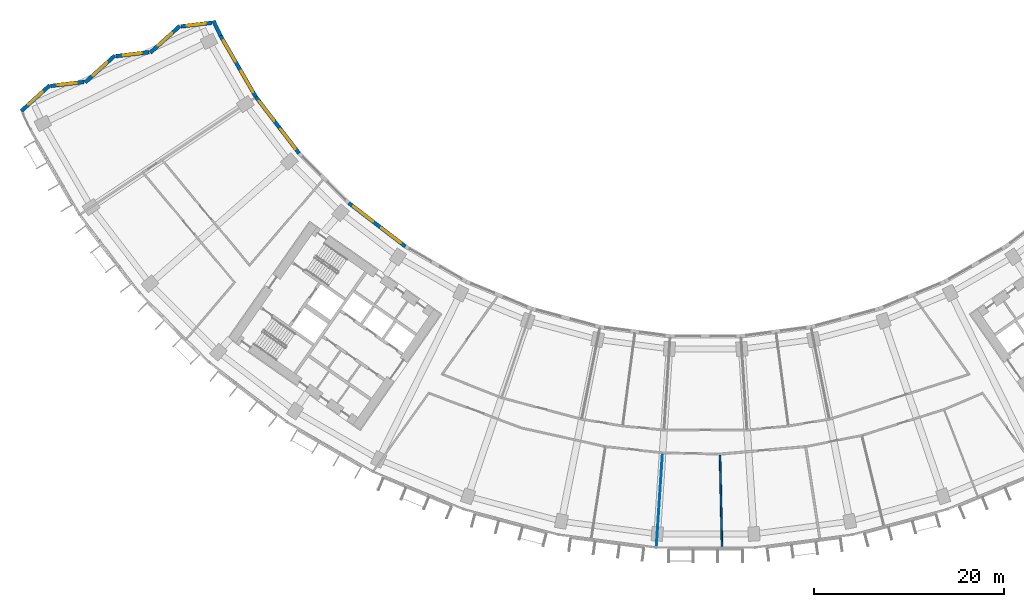
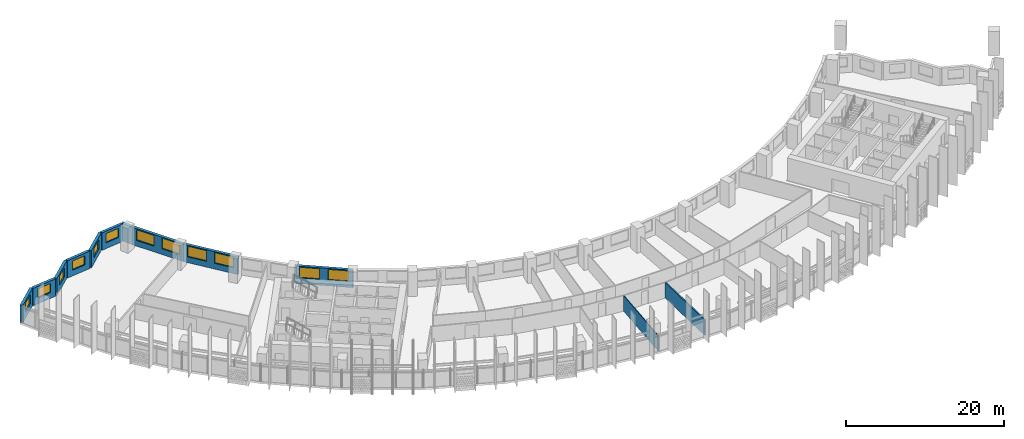
# One storey, part 5 of 30: 12 walls, 12 windows, 12 openings.
"""IFC4 building model written with IfcOpenShell, lengths in metres."""

from ifc_helpers import new_model, si_unit, direction, frame, frame_2d, origin, place, context, subcontext, project, spatial, rectangle, extrude, material, layer, layer_set, type_object, element, fill, save


model = new_model("IFC4")

# Units and contexts
model_context = context("Model", 3, precision=1e-05, world=origin(), true_north=direction((0.0, 1.0)))
body_context = subcontext(model_context, "Body", "Model", "MODEL_VIEW")
ifc_project = project(units=[si_unit("LENGTHUNIT", "METRE"), si_unit("AREAUNIT", "SQUARE_METRE"), si_unit("VOLUMEUNIT", "CUBIC_METRE"), si_unit("PLANEANGLEUNIT", "RADIAN"), si_unit("MASSUNIT", "GRAM", prefix="KILO")], contexts=[model_context])

# Site, building, storey
site_placement = place(None, origin())
site = spatial("IfcSite", under=ifc_project, at=site_placement, CompositionType="ELEMENT")
building_placement = place(site_placement, origin())
building = spatial("IfcBuilding", under=site, at=building_placement, Name="Qamariyya Broadcast Tower", CompositionType="ELEMENT")
storey_placement = place(building_placement, frame((0.0, 0.0, 110.10009765625)))
storey = spatial("IfcBuildingStorey", under=building, at=storey_placement, Name="L24", CompositionType="ELEMENT", Elevation=110.10009765625)

# Walls
ifc_material_1 = material(Name="Gypsum board partition")
ifc_layer_1 = layer(ifc_material_1, 0.10009765625)
ifc_layer_set_1 = layer_set([ifc_layer_1], Name="Partition 100")
wall_type_1 = type_object("IfcWallType", Name="Partition 100", PredefinedType="PARTITIONING", material=ifc_layer_set_1)
wall_1_placement = place(storey_placement, frame((-5.17333984375, -78.9306640625, 0.0), z_axis=(0.0, 0.0, 1.0), x_axis=(0.065402415744, 0.997858970003, 0.0)))
element("IfcWall", 1, at=wall_1_placement, inside=storey, type_object=wall_type_1, Name="Partition L24-021", PredefinedType="PARTITIONING", context=body_context, shape_type="SweptSolid", body=[
    extrude(rectangle(XDim=9.824951171875, YDim=0.10009765625, at=frame_2d((4.91259765625, 0.0))), origin(), (0.0, 0.0, 1.0), 2.39990234375),
])
ifc_layer_2 = layer(ifc_material_1, 0.179931640625)
ifc_layer_set_2 = layer_set([ifc_layer_2], Name="Studio acoustic partition 180 EI 60")
wall_type_2 = type_object("IfcWallType", Name="Studio acoustic partition 180 EI 60", PredefinedType="PARTITIONING", material=ifc_layer_set_2)
wall_2_placement = place(storey_placement, frame((1.724365234375, -78.93017578125, 0.0), z_axis=(0.0, 0.0, 1.0), x_axis=(-0.021838346282, 0.999761514878, 0.0)))
element("IfcWall", 2, at=wall_2_placement, inside=storey, type_object=wall_type_2, Name="Partition L24-026", PredefinedType="PARTITIONING", context=body_context, shape_type="SweptSolid", body=[
    extrude(rectangle(XDim=9.658935546875, YDim=0.179931640625, at=frame_2d((4.82958984375, 0.0))), origin(), (0.0, 0.0, 1.0), 2.39990234375),
])

# Wall, opening, window
ifc_material_2 = material(Name="Terracotta", Category="masonry")
ifc_layer_3 = layer(ifc_material_2, 0.39990234375)
ifc_layer_set_3 = layer_set([ifc_layer_3], Name="Terracotta clad wall 400")
wall_type_3 = type_object("IfcWallType", Name="Terracotta clad wall 400", PredefinedType="SOLIDWALL", material=ifc_layer_set_3)
wall_3_placement = place(storey_placement, frame((-51.943603515625, -23.798583984375, 0.0), z_axis=(0.0, 0.0, 1.0), x_axis=(-0.992925428947, -0.118739599753, 0.0)))
wall_3 = element("IfcWall", 3, at=wall_3_placement, inside=storey, type_object=wall_type_3, Name="e-wl-L24-capW0", PredefinedType="SOLIDWALL", context=body_context, shape_type="SweptSolid", body=[
    extrude(rectangle(XDim=3.275390625, YDim=0.39990234375, at=frame_2d((1.6376953125, 0.0))), origin(), (0.0, 0.0, 1.0), 2.699951171875),
])
opening_1_placement = place(wall_3_placement, frame((0.6376953125, 0.0, 0.89990234375)))
opening_1 = element("IfcOpeningElement", 4, at=opening_1_placement, cuts=wall_3, Name="Opening W4", PredefinedType="OPENING", context=body_context, shape_type="SweptSolid", body=[
    extrude(rectangle(XDim=2.0, YDim=1.425048828125, at=frame_2d((1.0, 0.71240234375))), frame((0.0, 0.2099609375, 0.0), z_axis=(0.0, -1.0, 0.0), x_axis=(1.0, 0.0, 0.0)), (0.0, 0.0, 1.0), 0.419921875),
])
ifc_material_3 = material(Name="Clear low-e double glazed unit in aluminium frame", Category="aluminium")
window_type_1 = type_object("IfcWindowType", Name="Horn bay window 2000 x 1425", PartitioningType="SINGLE_PANEL", PredefinedType="WINDOW", material=ifc_material_3)
window_1_placement = place(opening_1_placement, origin())
window_1 = element("IfcWindow", 5, at=window_1_placement, inside=storey, type_object=window_type_1, Name="e-w-L24-capW0", OverallHeight=1.425048828125, OverallWidth=2.0, PartitioningType="SINGLE_PANEL", PredefinedType="WINDOW", context=body_context, shape_type="SweptSolid", body=[
    extrude(rectangle(XDim=2.0, YDim=1.425048828125, at=frame_2d((1.0, 0.71240234375))), frame((0.0, 0.030029296875, 0.0), z_axis=(0.0, -1.0, 0.0), x_axis=(1.0, 0.0, 0.0)), (0.0, 0.0, 1.0), 0.06005859375),
])
fill(opening_1, window_1)

wall_4_placement = place(storey_placement, frame((-55.318115234375, -24.13525390625, 0.0), z_axis=(0.0, 0.0, 1.0), x_axis=(-0.741276494368, -0.671199790597, 0.0)))
wall_4 = element("IfcWall", 6, at=wall_4_placement, inside=storey, type_object=wall_type_3, Name="e-wl-L24-capW1", PredefinedType="SOLIDWALL", context=body_context, shape_type="SweptSolid", body=[
    extrude(rectangle(XDim=4.194580078125, YDim=0.39990234375, at=frame_2d((2.09716796875, 0.0))), origin(), (0.0, 0.0, 1.0), 2.699951171875),
])
opening_2_placement = place(wall_4_placement, frame((1.09716796875, 0.0, 0.89990234375)))
opening_2 = element("IfcOpeningElement", 7, at=opening_2_placement, cuts=wall_4, Name="Opening W4", PredefinedType="OPENING", context=body_context, shape_type="SweptSolid", body=[
    extrude(rectangle(XDim=2.0, YDim=1.425048828125, at=frame_2d((1.0, 0.71240234375))), frame((0.0, 0.2099609375, 0.0), z_axis=(0.0, -1.0, 0.0), x_axis=(1.0, 0.0, 0.0)), (0.0, 0.0, 1.0), 0.419921875),
])
window_2_placement = place(opening_2_placement, origin())
window_2 = element("IfcWindow", 8, at=window_2_placement, inside=storey, type_object=window_type_1, Name="e-w-L24-capW1", OverallHeight=1.425048828125, OverallWidth=2.0, PartitioningType="SINGLE_PANEL", PredefinedType="WINDOW", context=body_context, shape_type="SweptSolid", body=[
    extrude(rectangle(XDim=2.0, YDim=1.425048828125, at=frame_2d((1.0, 0.71240234375))), frame((0.0, 0.030029296875, 0.0), z_axis=(0.0, -1.0, 0.0), x_axis=(1.0, 0.0, 0.0)), (0.0, 0.0, 1.0), 0.06005859375),
])
fill(opening_2, window_2)

wall_5_placement = place(storey_placement, frame((-58.5498046875, -26.8984375, 0.0), z_axis=(0.0, 0.0, 1.0), x_axis=(-0.992911210979, -0.118858433069, 0.0)))
wall_5 = element("IfcWall", 9, at=wall_5_placement, inside=storey, type_object=wall_type_3, Name="e-wl-L24-capW2", PredefinedType="SOLIDWALL", context=body_context, shape_type="SweptSolid", body=[
    extrude(rectangle(XDim=3.524658203125, YDim=0.39990234375, at=frame_2d((1.76220703125, 0.0))), origin(), (0.0, 0.0, 1.0), 2.699951171875),
])
opening_3_placement = place(wall_5_placement, frame((0.762451171875, 0.0, 0.89990234375)))
opening_3 = element("IfcOpeningElement", 10, at=opening_3_placement, cuts=wall_5, Name="Opening W4", PredefinedType="OPENING", context=body_context, shape_type="SweptSolid", body=[
    extrude(rectangle(XDim=2.0, YDim=1.425048828125, at=frame_2d((1.0, 0.71240234375))), frame((0.0, 0.2099609375, 0.0), z_axis=(0.0, -1.0, 0.0), x_axis=(1.0, 0.0, 0.0)), (0.0, 0.0, 1.0), 0.419921875),
])
window_3_placement = place(opening_3_placement, origin())
window_3 = element("IfcWindow", 11, at=window_3_placement, inside=storey, type_object=window_type_1, Name="e-w-L24-capW2", OverallHeight=1.425048828125, OverallWidth=2.0, PartitioningType="SINGLE_PANEL", PredefinedType="WINDOW", context=body_context, shape_type="SweptSolid", body=[
    extrude(rectangle(XDim=2.0, YDim=1.425048828125, at=frame_2d((1.0, 0.71240234375))), frame((0.0, 0.030029296875, 0.0), z_axis=(0.0, -1.0, 0.0), x_axis=(1.0, 0.0, 0.0)), (0.0, 0.0, 1.0), 0.06005859375),
])
fill(opening_3, window_3)

wall_6_placement = place(storey_placement, frame((-62.172119140625, -27.26513671875, 0.0), z_axis=(0.0, 0.0, 1.0), x_axis=(-0.74117704358, -0.671309608207, 0.0)))
wall_6 = element("IfcWall", 12, at=wall_6_placement, inside=storey, type_object=wall_type_3, Name="e-wl-L24-capW3", PredefinedType="SOLIDWALL", context=body_context, shape_type="SweptSolid", body=[
    extrude(rectangle(XDim=4.193115234375, YDim=0.39990234375, at=frame_2d((2.0966796875, 0.0))), origin(), (0.0, 0.0, 1.0), 2.699951171875),
])
opening_4_placement = place(wall_6_placement, frame((1.0966796875, 0.0, 0.89990234375)))
opening_4 = element("IfcOpeningElement", 13, at=opening_4_placement, cuts=wall_6, Name="Opening W4", PredefinedType="OPENING", context=body_context, shape_type="SweptSolid", body=[
    extrude(rectangle(XDim=2.0, YDim=1.425048828125, at=frame_2d((1.0, 0.71240234375))), frame((0.0, 0.2099609375, 0.0), z_axis=(0.0, -1.0, 0.0), x_axis=(1.0, 0.0, 0.0)), (0.0, 0.0, 1.0), 0.419921875),
])
window_4_placement = place(opening_4_placement, origin())
window_4 = element("IfcWindow", 14, at=window_4_placement, inside=storey, type_object=window_type_1, Name="e-w-L24-capW3", OverallHeight=1.425048828125, OverallWidth=2.0, PartitioningType="SINGLE_PANEL", PredefinedType="WINDOW", context=body_context, shape_type="SweptSolid", body=[
    extrude(rectangle(XDim=2.0, YDim=1.425048828125, at=frame_2d((1.0, 0.71240234375))), frame((0.0, 0.030029296875, 0.0), z_axis=(0.0, -1.0, 0.0), x_axis=(1.0, 0.0, 0.0)), (0.0, 0.0, 1.0), 0.06005859375),
])
fill(opening_4, window_4)

wall_7_placement = place(storey_placement, frame((-65.40234375, -30.027587890625, 0.0), z_axis=(0.0, 0.0, 1.0), x_axis=(-0.992898774584, -0.118962277337, 0.0)))
wall_7 = element("IfcWall", 15, at=wall_7_placement, inside=storey, type_object=wall_type_3, Name="e-wl-L24-capW4", PredefinedType="SOLIDWALL", context=body_context, shape_type="SweptSolid", body=[
    extrude(rectangle(XDim=3.52587890625, YDim=0.39990234375, at=frame_2d((1.762939453125, 0.0))), origin(), (0.0, 0.0, 1.0), 2.699951171875),
])
opening_5_placement = place(wall_7_placement, frame((0.762939453125, 0.0, 0.89990234375)))
opening_5 = element("IfcOpeningElement", 16, at=opening_5_placement, cuts=wall_7, Name="Opening W4", PredefinedType="OPENING", context=body_context, shape_type="SweptSolid", body=[
    extrude(rectangle(XDim=2.0, YDim=1.425048828125, at=frame_2d((1.0, 0.71240234375))), frame((0.0, 0.2099609375, 0.0), z_axis=(0.0, -1.0, 0.0), x_axis=(1.0, 0.0, 0.0)), (0.0, 0.0, 1.0), 0.419921875),
])
window_5_placement = place(opening_5_placement, origin())
window_5 = element("IfcWindow", 17, at=window_5_placement, inside=storey, type_object=window_type_1, Name="e-w-L24-capW4", OverallHeight=1.425048828125, OverallWidth=2.0, PartitioningType="SINGLE_PANEL", PredefinedType="WINDOW", context=body_context, shape_type="SweptSolid", body=[
    extrude(rectangle(XDim=2.0, YDim=1.425048828125, at=frame_2d((1.0, 0.71240234375))), frame((0.0, 0.030029296875, 0.0), z_axis=(0.0, -1.0, 0.0), x_axis=(1.0, 0.0, 0.0)), (0.0, 0.0, 1.0), 0.06005859375),
])
fill(opening_5, window_5)

wall_8_placement = place(storey_placement, frame((-69.025634765625, -30.394775390625, 0.0), z_axis=(0.0, 0.0, 1.0), x_axis=(-0.741103285594, -0.671391033662, 0.0)))
wall_8 = element("IfcWall", 18, at=wall_8_placement, inside=storey, type_object=wall_type_3, Name="e-wl-L24-capW5", PredefinedType="SOLIDWALL", context=body_context, shape_type="SweptSolid", body=[
    extrude(rectangle(XDim=4.013427734375, YDim=0.39990234375, at=frame_2d((2.0068359375, 0.0))), origin(), (0.0, 0.0, 1.0), 2.699951171875),
])
opening_6_placement = place(wall_8_placement, frame((1.0068359375, 0.0, 0.89990234375)))
opening_6 = element("IfcOpeningElement", 19, at=opening_6_placement, cuts=wall_8, Name="Opening W4", PredefinedType="OPENING", context=body_context, shape_type="SweptSolid", body=[
    extrude(rectangle(XDim=2.0, YDim=1.425048828125, at=frame_2d((1.0, 0.71240234375))), frame((0.0, 0.2099609375, 0.0), z_axis=(0.0, -1.0, 0.0), x_axis=(1.0, 0.0, 0.0)), (0.0, 0.0, 1.0), 0.419921875),
])
window_6_placement = place(opening_6_placement, origin())
window_6 = element("IfcWindow", 20, at=window_6_placement, inside=storey, type_object=window_type_1, Name="e-w-L24-capW5", OverallHeight=1.425048828125, OverallWidth=2.0, PartitioningType="SINGLE_PANEL", PredefinedType="WINDOW", context=body_context, shape_type="SweptSolid", body=[
    extrude(rectangle(XDim=2.0, YDim=1.425048828125, at=frame_2d((1.0, 0.71240234375))), frame((0.0, 0.030029296875, 0.0), z_axis=(0.0, -1.0, 0.0), x_axis=(1.0, 0.0, 0.0)), (0.0, 0.0, 1.0), 0.06005859375),
])
fill(opening_6, window_6)

# Wall
wall_9_placement = place(storey_placement, frame((-51.0234375, -25.184326171875, 0.0), z_axis=(0.0, 0.0, 1.0), x_axis=(-0.42894627293, 0.903330003343, 0.0)))
element("IfcWall", 21, at=wall_9_placement, inside=storey, type_object=wall_type_3, Name="e-wl-L24-in00", PredefinedType="SOLIDWALL", context=body_context, shape_type="SweptSolid", body=[
    extrude(rectangle(XDim=1.757080078125, YDim=0.39990234375, at=frame_2d((0.87841796875, 0.0))), origin(), (0.0, 0.0, 1.0), 2.699951171875),
])

# Wall, openings, windows
wall_10_placement = place(storey_placement, frame((-47.33642578125, -31.568359375, 0.0), z_axis=(0.0, 0.0, 1.0), x_axis=(-0.499976222121, 0.866039131514, 0.0)))
wall_10 = element("IfcWall", 22, at=wall_10_placement, inside=storey, type_object=wall_type_3, Name="e-wl-L24-in10", PredefinedType="SOLIDWALL", context=body_context, shape_type="SweptSolid", body=[
    extrude(rectangle(XDim=7.356201171875, YDim=0.39990234375, at=frame_2d((3.67822265625, 0.0))), origin(), (0.0, 0.0, 1.0), 2.699951171875),
])
opening_7_placement = place(wall_10_placement, frame((4.224853515625, 0.0, 0.89990234375)))
opening_7 = element("IfcOpeningElement", 23, at=opening_7_placement, cuts=wall_10, Name="Opening W1", PredefinedType="OPENING", context=body_context, shape_type="SweptSolid", body=[
    extrude(rectangle(XDim=2.60009765625, YDim=1.64990234375, at=frame_2d((1.300048828125, 0.824951171875))), frame((0.0, 0.2099609375, 0.0), z_axis=(0.0, -1.0, 0.0), x_axis=(1.0, 0.0, 0.0)), (0.0, 0.0, 1.0), 0.419921875),
])
opening_8_placement = place(wall_10_placement, frame((0.5166015625, 0.0, 0.89990234375)))
opening_8 = element("IfcOpeningElement", 24, at=opening_8_placement, cuts=wall_10, Name="Opening W1", PredefinedType="OPENING", context=body_context, shape_type="SweptSolid", body=[
    extrude(rectangle(XDim=2.60009765625, YDim=1.64990234375, at=frame_2d((1.300048828125, 0.824951171875))), frame((0.0, 0.2099609375, 0.0), z_axis=(0.0, -1.0, 0.0), x_axis=(1.0, 0.0, 0.0)), (0.0, 0.0, 1.0), 0.419921875),
])
window_type_2 = type_object("IfcWindowType", Name="Ribbon window 2600 x 1650", PartitioningType="SINGLE_PANEL", PredefinedType="WINDOW", material=ifc_material_3)
window_7_placement = place(opening_7_placement, origin())
window_7 = element("IfcWindow", 25, at=window_7_placement, inside=storey, type_object=window_type_2, Name="e-w-L24-in01-0", OverallHeight=1.64990234375, OverallWidth=2.60009765625, PartitioningType="SINGLE_PANEL", PredefinedType="WINDOW", context=body_context, shape_type="SweptSolid", body=[
    extrude(rectangle(XDim=2.60009765625, YDim=1.64990234375, at=frame_2d((1.300048828125, 0.824951171875))), frame((0.0, 0.030029296875, 0.0), z_axis=(0.0, -1.0, 0.0), x_axis=(1.0, 0.0, 0.0)), (0.0, 0.0, 1.0), 0.06005859375),
])
fill(opening_7, window_7)
window_8_placement = place(opening_8_placement, origin())
window_8 = element("IfcWindow", 26, at=window_8_placement, inside=storey, type_object=window_type_2, Name="e-w-L24-in01-1", OverallHeight=1.64990234375, OverallWidth=2.60009765625, PartitioningType="SINGLE_PANEL", PredefinedType="WINDOW", context=body_context, shape_type="SweptSolid", body=[
    extrude(rectangle(XDim=2.60009765625, YDim=1.64990234375, at=frame_2d((1.300048828125, 0.824951171875))), frame((0.0, 0.030029296875, 0.0), z_axis=(0.0, -1.0, 0.0), x_axis=(1.0, 0.0, 0.0)), (0.0, 0.0, 1.0), 0.06005859375),
])
fill(opening_8, window_8)

wall_11_placement = place(storey_placement, frame((-42.764892578125, -37.536865234375, 0.0), z_axis=(0.0, 0.0, 1.0), x_axis=(-0.608748204711, 0.793363487476, 0.0)))
wall_11 = element("IfcWall", 27, at=wall_11_placement, inside=storey, type_object=wall_type_3, Name="e-wl-L24-in20", PredefinedType="SOLIDWALL", context=body_context, shape_type="SweptSolid", body=[
    extrude(rectangle(XDim=7.492919921875, YDim=0.39990234375, at=frame_2d((3.74658203125, 0.0))), origin(), (0.0, 0.0, 1.0), 2.699951171875),
])
opening_9_placement = place(wall_11_placement, frame((4.300537109375, 0.0, 0.89990234375)))
opening_9 = element("IfcOpeningElement", 28, at=opening_9_placement, cuts=wall_11, Name="Opening W1", PredefinedType="OPENING", context=body_context, shape_type="SweptSolid", body=[
    extrude(rectangle(XDim=2.60009765625, YDim=1.64990234375, at=frame_2d((1.300048828125, 0.824951171875))), frame((0.0, 0.2099609375, 0.0), z_axis=(0.0, -1.0, 0.0), x_axis=(1.0, 0.0, 0.0)), (0.0, 0.0, 1.0), 0.419921875),
])
opening_10_placement = place(wall_11_placement, frame((0.59228515625, 0.0, 0.89990234375)))
opening_10 = element("IfcOpeningElement", 29, at=opening_10_placement, cuts=wall_11, Name="Opening W1", PredefinedType="OPENING", context=body_context, shape_type="SweptSolid", body=[
    extrude(rectangle(XDim=2.60009765625, YDim=1.64990234375, at=frame_2d((1.300048828125, 0.824951171875))), frame((0.0, 0.2099609375, 0.0), z_axis=(0.0, -1.0, 0.0), x_axis=(1.0, 0.0, 0.0)), (0.0, 0.0, 1.0), 0.419921875),
])
window_9_placement = place(opening_9_placement, origin())
window_9 = element("IfcWindow", 30, at=window_9_placement, inside=storey, type_object=window_type_2, Name="e-w-L24-in02-0", OverallHeight=1.64990234375, OverallWidth=2.60009765625, PartitioningType="SINGLE_PANEL", PredefinedType="WINDOW", context=body_context, shape_type="SweptSolid", body=[
    extrude(rectangle(XDim=2.60009765625, YDim=1.64990234375, at=frame_2d((1.300048828125, 0.824951171875))), frame((0.0, 0.030029296875, 0.0), z_axis=(0.0, -1.0, 0.0), x_axis=(1.0, 0.0, 0.0)), (0.0, 0.0, 1.0), 0.06005859375),
])
fill(opening_9, window_9)
window_10_placement = place(opening_10_placement, origin())
window_10 = element("IfcWindow", 31, at=window_10_placement, inside=storey, type_object=window_type_2, Name="e-w-L24-in02-1", OverallHeight=1.64990234375, OverallWidth=2.60009765625, PartitioningType="SINGLE_PANEL", PredefinedType="WINDOW", context=body_context, shape_type="SweptSolid", body=[
    extrude(rectangle(XDim=2.60009765625, YDim=1.64990234375, at=frame_2d((1.300048828125, 0.824951171875))), frame((0.0, 0.030029296875, 0.0), z_axis=(0.0, -1.0, 0.0), x_axis=(1.0, 0.0, 0.0)), (0.0, 0.0, 1.0), 0.06005859375),
])
fill(opening_10, window_10)

wall_12_placement = place(storey_placement, frame((-31.59228515625, -47.326171875, 0.0), z_axis=(0.0, 0.0, 1.0), x_axis=(-0.793363487476, 0.608748204711, 0.0)))
wall_12 = element("IfcWall", 32, at=wall_12_placement, inside=storey, type_object=wall_type_3, Name="e-wl-L24-in40", PredefinedType="SOLIDWALL", context=body_context, shape_type="SweptSolid", body=[
    extrude(rectangle(XDim=7.492919921875, YDim=0.39990234375, at=frame_2d((3.74658203125, 0.0))), origin(), (0.0, 0.0, 1.0), 2.699951171875),
])
opening_11_placement = place(wall_12_placement, frame((4.300537109375, 0.0, 0.89990234375)))
opening_11 = element("IfcOpeningElement", 33, at=opening_11_placement, cuts=wall_12, Name="Opening W1", PredefinedType="OPENING", context=body_context, shape_type="SweptSolid", body=[
    extrude(rectangle(XDim=2.60009765625, YDim=1.64990234375, at=frame_2d((1.300048828125, 0.824951171875))), frame((0.0, 0.2099609375, 0.0), z_axis=(0.0, -1.0, 0.0), x_axis=(1.0, 0.0, 0.0)), (0.0, 0.0, 1.0), 0.419921875),
])
opening_12_placement = place(wall_12_placement, frame((0.59228515625, 0.0, 0.89990234375)))
opening_12 = element("IfcOpeningElement", 34, at=opening_12_placement, cuts=wall_12, Name="Opening W1", PredefinedType="OPENING", context=body_context, shape_type="SweptSolid", body=[
    extrude(rectangle(XDim=2.60009765625, YDim=1.64990234375, at=frame_2d((1.300048828125, 0.824951171875))), frame((0.0, 0.2099609375, 0.0), z_axis=(0.0, -1.0, 0.0), x_axis=(1.0, 0.0, 0.0)), (0.0, 0.0, 1.0), 0.419921875),
])
window_11_placement = place(opening_11_placement, origin())
window_11 = element("IfcWindow", 35, at=window_11_placement, inside=storey, type_object=window_type_2, Name="e-w-L24-in04-0", OverallHeight=1.64990234375, OverallWidth=2.60009765625, PartitioningType="SINGLE_PANEL", PredefinedType="WINDOW", context=body_context, shape_type="SweptSolid", body=[
    extrude(rectangle(XDim=2.60009765625, YDim=1.64990234375, at=frame_2d((1.300048828125, 0.824951171875))), frame((0.0, 0.030029296875, 0.0), z_axis=(0.0, -1.0, 0.0), x_axis=(1.0, 0.0, 0.0)), (0.0, 0.0, 1.0), 0.06005859375),
])
fill(opening_11, window_11)
window_12_placement = place(opening_12_placement, origin())
window_12 = element("IfcWindow", 36, at=window_12_placement, inside=storey, type_object=window_type_2, Name="e-w-L24-in04-1", OverallHeight=1.64990234375, OverallWidth=2.60009765625, PartitioningType="SINGLE_PANEL", PredefinedType="WINDOW", context=body_context, shape_type="SweptSolid", body=[
    extrude(rectangle(XDim=2.60009765625, YDim=1.64990234375, at=frame_2d((1.300048828125, 0.824951171875))), frame((0.0, 0.030029296875, 0.0), z_axis=(0.0, -1.0, 0.0), x_axis=(1.0, 0.0, 0.0)), (0.0, 0.0, 1.0), 0.06005859375),
])
fill(opening_12, window_12)

save(model, "model.ifc")
